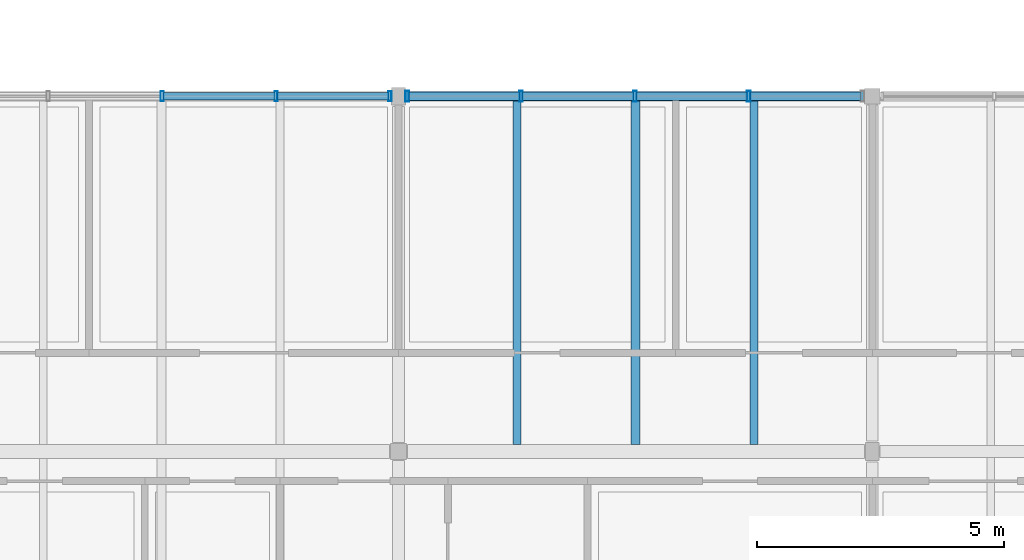
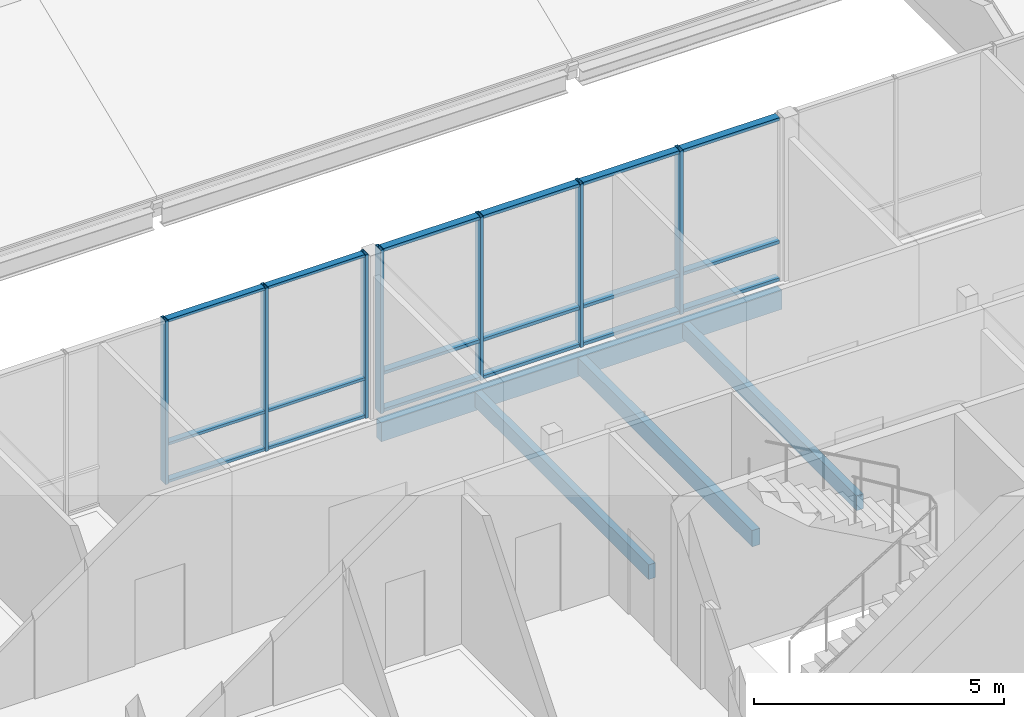
# One storey, part 38 of 115: 25 members, 4 beams, 2 elements without a shape of their own.
"""IFC4 building model written with IfcOpenShell, lengths in metres."""

from ifc_helpers import new_model, si_unit, direction, frame, origin, origin_2d, place, context, subcontext, project, spatial, rectangle, hollow_rectangle, extrude, material, material_profile, profile_set, type_object, element, aggregate, save


model = new_model("IFC4")

# Units and contexts
model_context = context("Model", 3, precision=1e-05, world=origin(), true_north=direction((0.0, 1.0)))
body_context = subcontext(model_context, "Body", "Model", "MODEL_VIEW")
ifc_project = project(units=[si_unit("LENGTHUNIT", "METRE"), si_unit("AREAUNIT", "SQUARE_METRE"), si_unit("VOLUMEUNIT", "CUBIC_METRE"), si_unit("PLANEANGLEUNIT", "RADIAN"), si_unit("MASSUNIT", "GRAM", prefix="KILO")], contexts=[model_context])

# Site, building, storey
site_placement = place(None, origin())
site = spatial("IfcSite", under=ifc_project, at=site_placement, CompositionType="ELEMENT")
building_placement = place(site_placement, origin())
building = spatial("IfcBuilding", under=site, at=building_placement, Name="Hawrajan Terrace Health Centre", CompositionType="ELEMENT")
storey_placement = place(building_placement, frame((0.0, 0.0, 9.0)))
storey = spatial("IfcBuildingStorey", under=building, at=storey_placement, Name="L02", CompositionType="ELEMENT", Elevation=9.0)

# Curtain wall, members
ifc_material_1 = material(Name="Anodized bronze aluminium and low-E solar glazing", Category="aluminium")
curtain_wall_type_1 = type_object("IfcCurtainWallType", Name="CW_Setback_SeriesL1", PredefinedType="USERDEFINED", material=ifc_material_1)
curtain_wall_1_placement = place(storey_placement, origin())
curtain_wall_1 = element("IfcCurtainWall", 1, at=curtain_wall_1_placement, inside=storey, type_object=curtain_wall_type_1, Name="Curtain wall CW-L02-142", ObjectType="UNITISED CURTAIN WALL", PredefinedType="USERDEFINED")
ifc_material_2 = material(Name="Anodized bronze aluminium 6063-T6", Category="aluminium")
ifc_material_profile_1 = material_profile(ifc_material_2, hollow_rectangle(XDim=0.06494140625, YDim=0.199951171875, WallThickness=0.00439453125, at=origin_2d()), Name="CW MUL 65x200")
ifc_profile_set_1 = profile_set([ifc_material_profile_1], Name="Anodized bronze aluminium 6063-T6")
member_type_1 = type_object("IfcMemberType", Name="CWMullion_65x200", PredefinedType="MULLION", material=ifc_profile_set_1)
member_1_placement = place(storey_placement, frame((86.2099609375, 18.60009765625, -0.0048828125), z_axis=(0.0, 0.0, 1.0), x_axis=(1.0, 0.0, 0.0)))
member_1 = element("IfcMember", 2, at=member_1_placement, type_object=member_type_1, Name="Mullion CW-L02-142-M3", PredefinedType="MULLION", context=body_context, shape_type="SweptSolid", body=[
    extrude(hollow_rectangle(XDim=0.06494140625, YDim=0.199951171875, WallThickness=0.00439453125, at=origin_2d()), origin(), (0.0, 0.0, 1.0), 4.0),
])
member_2_placement = place(storey_placement, frame((88.518798828125, 18.60009765625, -0.0048828125), z_axis=(0.0, 0.0, 1.0), x_axis=(1.0, 0.0, 0.0)))
member_2 = element("IfcMember", 3, at=member_2_placement, type_object=member_type_1, Name="Mullion CW-L02-142-M4", PredefinedType="MULLION", context=body_context, shape_type="SweptSolid", body=[
    extrude(hollow_rectangle(XDim=0.06494140625, YDim=0.199951171875, WallThickness=0.00439453125, at=origin_2d()), origin(), (0.0, 0.0, 1.0), 4.0),
])
member_3_placement = place(storey_placement, frame((90.827392578125, 18.60009765625, -0.0048828125), z_axis=(0.0, 0.0, 1.0), x_axis=(1.0, 0.0, 0.0)))
member_3 = element("IfcMember", 4, at=member_3_placement, type_object=member_type_1, Name="Mullion CW-L02-142-M5", PredefinedType="MULLION", context=body_context, shape_type="SweptSolid", body=[
    extrude(hollow_rectangle(XDim=0.06494140625, YDim=0.199951171875, WallThickness=0.00439453125, at=origin_2d()), origin(), (0.0, 0.0, 1.0), 4.0),
])

curtain_wall_type_2 = type_object("IfcCurtainWallType", Name="CW_Diagnostic_SeriesM1", PredefinedType="USERDEFINED", material=ifc_material_1)
curtain_wall_2_placement = place(storey_placement, origin())
curtain_wall_2 = element("IfcCurtainWall", 5, at=curtain_wall_2_placement, inside=storey, type_object=curtain_wall_type_2, Name="Curtain wall CW-L02-143", ObjectType="UNITISED CURTAIN WALL", PredefinedType="USERDEFINED")
ifc_material_profile_2 = material_profile(ifc_material_2, hollow_rectangle(XDim=0.074951171875, YDim=0.219970703125, WallThickness=0.0048828125, at=origin_2d()), Name="CW MUL 75x220")
ifc_profile_set_2 = profile_set([ifc_material_profile_2], Name="Anodized bronze aluminium 6063-T6")
member_type_2 = type_object("IfcMemberType", Name="CWMullion_75x220", PredefinedType="MULLION", material=ifc_profile_set_2)
member_4_placement = place(storey_placement, frame((91.177490234375, 18.60009765625, -0.0048828125), z_axis=(0.0, 0.0, 1.0), x_axis=(1.0, 0.0, 0.0)))
member_4 = element("IfcMember", 6, at=member_4_placement, type_object=member_type_2, Name="Mullion CW-L02-143-M1", PredefinedType="MULLION", context=body_context, shape_type="SweptSolid", body=[
    extrude(hollow_rectangle(XDim=0.074951171875, YDim=0.219970703125, WallThickness=0.0048828125, at=origin_2d()), origin(), (0.0, 0.0, 1.0), 4.0),
])
member_5_placement = place(storey_placement, frame((93.48388671875, 18.60009765625, -0.0048828125), z_axis=(0.0, 0.0, 1.0), x_axis=(1.0, 0.0, 0.0)))
member_5 = element("IfcMember", 7, at=member_5_placement, type_object=member_type_2, Name="Mullion CW-L02-143-M2", PredefinedType="MULLION", context=body_context, shape_type="SweptSolid", body=[
    extrude(hollow_rectangle(XDim=0.074951171875, YDim=0.219970703125, WallThickness=0.0048828125, at=origin_2d()), origin(), (0.0, 0.0, 1.0), 4.0),
])
member_6_placement = place(storey_placement, frame((95.7900390625, 18.60009765625, -0.0048828125), z_axis=(0.0, 0.0, 1.0), x_axis=(1.0, 0.0, 0.0)))
member_6 = element("IfcMember", 8, at=member_6_placement, type_object=member_type_2, Name="Mullion CW-L02-143-M3", PredefinedType="MULLION", context=body_context, shape_type="SweptSolid", body=[
    extrude(hollow_rectangle(XDim=0.074951171875, YDim=0.219970703125, WallThickness=0.0048828125, at=origin_2d()), origin(), (0.0, 0.0, 1.0), 4.0),
])
member_7_placement = place(storey_placement, frame((98.09619140625, 18.60009765625, -0.0048828125), z_axis=(0.0, 0.0, 1.0), x_axis=(1.0, 0.0, 0.0)))
member_7 = element("IfcMember", 9, at=member_7_placement, type_object=member_type_2, Name="Mullion CW-L02-143-M4", PredefinedType="MULLION", context=body_context, shape_type="SweptSolid", body=[
    extrude(hollow_rectangle(XDim=0.074951171875, YDim=0.219970703125, WallThickness=0.0048828125, at=origin_2d()), origin(), (0.0, 0.0, 1.0), 4.0),
])

# Member
ifc_material_profile_3 = material_profile(ifc_material_2, hollow_rectangle(XDim=0.06494140625, YDim=0.14990234375, WallThickness=0.00390625, at=origin_2d()), Name="CW TRN 65x150")
ifc_profile_set_3 = profile_set([ifc_material_profile_3], Name="Anodized bronze aluminium 6063-T6")
member_type_3 = type_object("IfcMemberType", Name="CWTransom_65x150", PredefinedType="USERDEFINED", material=ifc_profile_set_3)
member_8_placement = place(storey_placement, frame((86.236572265625, 18.60009765625, 0.032470703125), z_axis=(1.0, 0.0, 0.0), x_axis=(0.0, 0.0, 1.0)))
member_8 = element("IfcMember", 10, at=member_8_placement, type_object=member_type_3, Name="Transom CW-L02-142-T3-1", ObjectType="TRANSOM", PredefinedType="USERDEFINED", context=body_context, shape_type="SweptSolid", body=[
    extrude(hollow_rectangle(XDim=0.06494140625, YDim=0.14990234375, WallThickness=0.00390625, at=origin_2d()), origin(), (0.0, 0.0, 1.0), 2.255615234375),
])

member_9_placement = place(storey_placement, frame((86.236572265625, 18.60009765625, 0.949951171875), z_axis=(1.0, 0.0, 0.0), x_axis=(0.0, 0.0, 1.0)))
member_9 = element("IfcMember", 11, at=member_9_placement, type_object=member_type_3, Name="Transom CW-L02-142-T3-2", ObjectType="TRANSOM", PredefinedType="USERDEFINED", context=body_context, shape_type="SweptSolid", body=[
    extrude(hollow_rectangle(XDim=0.06494140625, YDim=0.14990234375, WallThickness=0.00390625, at=origin_2d()), origin(), (0.0, 0.0, 1.0), 2.255615234375),
])

member_10_placement = place(storey_placement, frame((86.236572265625, 18.60009765625, 3.95751953125), z_axis=(1.0, 0.0, 0.0), x_axis=(0.0, 0.0, 1.0)))
member_10 = element("IfcMember", 12, at=member_10_placement, type_object=member_type_3, Name="Transom CW-L02-142-T3-3", ObjectType="TRANSOM", PredefinedType="USERDEFINED", context=body_context, shape_type="SweptSolid", body=[
    extrude(hollow_rectangle(XDim=0.06494140625, YDim=0.14990234375, WallThickness=0.00390625, at=origin_2d()), origin(), (0.0, 0.0, 1.0), 2.255615234375),
])

member_11_placement = place(storey_placement, frame((88.545166015625, 18.60009765625, 0.032470703125), z_axis=(1.0, 0.0, 0.0), x_axis=(0.0, 0.0, 1.0)))
member_11 = element("IfcMember", 13, at=member_11_placement, type_object=member_type_3, Name="Transom CW-L02-142-T4-1", ObjectType="TRANSOM", PredefinedType="USERDEFINED", context=body_context, shape_type="SweptSolid", body=[
    extrude(hollow_rectangle(XDim=0.06494140625, YDim=0.14990234375, WallThickness=0.00390625, at=origin_2d()), origin(), (0.0, 0.0, 1.0), 2.255859375),
])

member_12_placement = place(storey_placement, frame((88.545166015625, 18.60009765625, 0.949951171875), z_axis=(1.0, 0.0, 0.0), x_axis=(0.0, 0.0, 1.0)))
member_12 = element("IfcMember", 14, at=member_12_placement, type_object=member_type_3, Name="Transom CW-L02-142-T4-2", ObjectType="TRANSOM", PredefinedType="USERDEFINED", context=body_context, shape_type="SweptSolid", body=[
    extrude(hollow_rectangle(XDim=0.06494140625, YDim=0.14990234375, WallThickness=0.00390625, at=origin_2d()), origin(), (0.0, 0.0, 1.0), 2.255859375),
])

member_13_placement = place(storey_placement, frame((88.545166015625, 18.60009765625, 3.95751953125), z_axis=(1.0, 0.0, 0.0), x_axis=(0.0, 0.0, 1.0)))
member_13 = element("IfcMember", 15, at=member_13_placement, type_object=member_type_3, Name="Transom CW-L02-142-T4-3", ObjectType="TRANSOM", PredefinedType="USERDEFINED", context=body_context, shape_type="SweptSolid", body=[
    extrude(hollow_rectangle(XDim=0.06494140625, YDim=0.14990234375, WallThickness=0.00390625, at=origin_2d()), origin(), (0.0, 0.0, 1.0), 2.255859375),
])

aggregate(curtain_wall_1, [member_1, member_2, member_3, member_8, member_9, member_10, member_11, member_12, member_13])

ifc_material_profile_4 = material_profile(ifc_material_2, hollow_rectangle(XDim=0.074951171875, YDim=0.169921875, WallThickness=0.00439453125, at=origin_2d()), Name="CW TRN 75x170")
ifc_profile_set_4 = profile_set([ifc_material_profile_4], Name="Anodized bronze aluminium 6063-T6")
member_type_4 = type_object("IfcMemberType", Name="CWTransom_75x170", PredefinedType="USERDEFINED", material=ifc_profile_set_4)
member_14_placement = place(storey_placement, frame((91.208984375, 18.60009765625, 0.03759765625), z_axis=(1.0, 0.0, 0.0), x_axis=(0.0, 0.0, 1.0)))
member_14 = element("IfcMember", 16, at=member_14_placement, type_object=member_type_4, Name="Transom CW-L02-143-T1-1", ObjectType="TRANSOM", PredefinedType="USERDEFINED", context=body_context, shape_type="SweptSolid", body=[
    extrude(hollow_rectangle(XDim=0.074951171875, YDim=0.169921875, WallThickness=0.00439453125, at=origin_2d()), origin(), (0.0, 0.0, 1.0), 2.243408203125),
])

member_15_placement = place(storey_placement, frame((91.208984375, 18.60009765625, 0.949951171875), z_axis=(1.0, 0.0, 0.0), x_axis=(0.0, 0.0, 1.0)))
member_15 = element("IfcMember", 17, at=member_15_placement, type_object=member_type_4, Name="Transom CW-L02-143-T1-2", ObjectType="TRANSOM", PredefinedType="USERDEFINED", context=body_context, shape_type="SweptSolid", body=[
    extrude(hollow_rectangle(XDim=0.074951171875, YDim=0.169921875, WallThickness=0.00439453125, at=origin_2d()), origin(), (0.0, 0.0, 1.0), 2.243408203125),
])

member_16_placement = place(storey_placement, frame((91.208984375, 18.60009765625, 3.952392578125), z_axis=(1.0, 0.0, 0.0), x_axis=(0.0, 0.0, 1.0)))
member_16 = element("IfcMember", 18, at=member_16_placement, type_object=member_type_4, Name="Transom CW-L02-143-T1-3", ObjectType="TRANSOM", PredefinedType="USERDEFINED", context=body_context, shape_type="SweptSolid", body=[
    extrude(hollow_rectangle(XDim=0.074951171875, YDim=0.169921875, WallThickness=0.00439453125, at=origin_2d()), origin(), (0.0, 0.0, 1.0), 2.243408203125),
])

member_17_placement = place(storey_placement, frame((93.51513671875, 18.60009765625, 0.03759765625), z_axis=(1.0, 0.0, 0.0), x_axis=(0.0, 0.0, 1.0)))
member_17 = element("IfcMember", 19, at=member_17_placement, type_object=member_type_4, Name="Transom CW-L02-143-T2-1", ObjectType="TRANSOM", PredefinedType="USERDEFINED", context=body_context, shape_type="SweptSolid", body=[
    extrude(hollow_rectangle(XDim=0.074951171875, YDim=0.169921875, WallThickness=0.00439453125, at=origin_2d()), origin(), (0.0, 0.0, 1.0), 2.243408203125),
])

member_18_placement = place(storey_placement, frame((93.51513671875, 18.60009765625, 0.949951171875), z_axis=(1.0, 0.0, 0.0), x_axis=(0.0, 0.0, 1.0)))
member_18 = element("IfcMember", 20, at=member_18_placement, type_object=member_type_4, Name="Transom CW-L02-143-T2-2", ObjectType="TRANSOM", PredefinedType="USERDEFINED", context=body_context, shape_type="SweptSolid", body=[
    extrude(hollow_rectangle(XDim=0.074951171875, YDim=0.169921875, WallThickness=0.00439453125, at=origin_2d()), origin(), (0.0, 0.0, 1.0), 2.243408203125),
])

member_19_placement = place(storey_placement, frame((93.51513671875, 18.60009765625, 3.952392578125), z_axis=(1.0, 0.0, 0.0), x_axis=(0.0, 0.0, 1.0)))
member_19 = element("IfcMember", 21, at=member_19_placement, type_object=member_type_4, Name="Transom CW-L02-143-T2-3", ObjectType="TRANSOM", PredefinedType="USERDEFINED", context=body_context, shape_type="SweptSolid", body=[
    extrude(hollow_rectangle(XDim=0.074951171875, YDim=0.169921875, WallThickness=0.00439453125, at=origin_2d()), origin(), (0.0, 0.0, 1.0), 2.243408203125),
])

member_20_placement = place(storey_placement, frame((95.821533203125, 18.60009765625, 0.03759765625), z_axis=(1.0, 0.0, 0.0), x_axis=(0.0, 0.0, 1.0)))
member_20 = element("IfcMember", 22, at=member_20_placement, type_object=member_type_4, Name="Transom CW-L02-143-T3-1", ObjectType="TRANSOM", PredefinedType="USERDEFINED", context=body_context, shape_type="SweptSolid", body=[
    extrude(hollow_rectangle(XDim=0.074951171875, YDim=0.169921875, WallThickness=0.00439453125, at=origin_2d()), origin(), (0.0, 0.0, 1.0), 2.2431640625),
])

member_21_placement = place(storey_placement, frame((95.821533203125, 18.60009765625, 0.949951171875), z_axis=(1.0, 0.0, 0.0), x_axis=(0.0, 0.0, 1.0)))
member_21 = element("IfcMember", 23, at=member_21_placement, type_object=member_type_4, Name="Transom CW-L02-143-T3-2", ObjectType="TRANSOM", PredefinedType="USERDEFINED", context=body_context, shape_type="SweptSolid", body=[
    extrude(hollow_rectangle(XDim=0.074951171875, YDim=0.169921875, WallThickness=0.00439453125, at=origin_2d()), origin(), (0.0, 0.0, 1.0), 2.2431640625),
])

member_22_placement = place(storey_placement, frame((95.821533203125, 18.60009765625, 3.952392578125), z_axis=(1.0, 0.0, 0.0), x_axis=(0.0, 0.0, 1.0)))
member_22 = element("IfcMember", 24, at=member_22_placement, type_object=member_type_4, Name="Transom CW-L02-143-T3-3", ObjectType="TRANSOM", PredefinedType="USERDEFINED", context=body_context, shape_type="SweptSolid", body=[
    extrude(hollow_rectangle(XDim=0.074951171875, YDim=0.169921875, WallThickness=0.00439453125, at=origin_2d()), origin(), (0.0, 0.0, 1.0), 2.2431640625),
])

member_23_placement = place(storey_placement, frame((98.127685546875, 18.60009765625, 0.03759765625), z_axis=(1.0, 0.0, 0.0), x_axis=(0.0, 0.0, 1.0)))
member_23 = element("IfcMember", 25, at=member_23_placement, type_object=member_type_4, Name="Transom CW-L02-143-T4-1", ObjectType="TRANSOM", PredefinedType="USERDEFINED", context=body_context, shape_type="SweptSolid", body=[
    extrude(hollow_rectangle(XDim=0.074951171875, YDim=0.169921875, WallThickness=0.00439453125, at=origin_2d()), origin(), (0.0, 0.0, 1.0), 2.243408203125),
])

member_24_placement = place(storey_placement, frame((98.127685546875, 18.60009765625, 0.949951171875), z_axis=(1.0, 0.0, 0.0), x_axis=(0.0, 0.0, 1.0)))
member_24 = element("IfcMember", 26, at=member_24_placement, type_object=member_type_4, Name="Transom CW-L02-143-T4-2", ObjectType="TRANSOM", PredefinedType="USERDEFINED", context=body_context, shape_type="SweptSolid", body=[
    extrude(hollow_rectangle(XDim=0.074951171875, YDim=0.169921875, WallThickness=0.00439453125, at=origin_2d()), origin(), (0.0, 0.0, 1.0), 2.243408203125),
])

member_25_placement = place(storey_placement, frame((98.127685546875, 18.60009765625, 3.952392578125), z_axis=(1.0, 0.0, 0.0), x_axis=(0.0, 0.0, 1.0)))
member_25 = element("IfcMember", 27, at=member_25_placement, type_object=member_type_4, Name="Transom CW-L02-143-T4-3", ObjectType="TRANSOM", PredefinedType="USERDEFINED", context=body_context, shape_type="SweptSolid", body=[
    extrude(hollow_rectangle(XDim=0.074951171875, YDim=0.169921875, WallThickness=0.00439453125, at=origin_2d()), origin(), (0.0, 0.0, 1.0), 2.243408203125),
])

aggregate(curtain_wall_2, [member_4, member_5, member_6, member_7, member_14, member_15, member_16, member_17, member_18, member_19, member_20, member_21, member_22, member_23, member_24, member_25])

# Beams
ifc_material_3 = material(Name="Glulam GL28h", Category="wood")
ifc_material_profile_5 = material_profile(ifc_material_3, rectangle(XDim=0.159912109375, YDim=0.360107421875, at=origin_2d()), Name="GL JST 160x360")
ifc_profile_set_5 = profile_set([ifc_material_profile_5], Name="Glulam GL28h")
beam_type_1 = type_object("IfcBeamType", Name="GlulamJoist_160x360", PredefinedType="JOIST", material=ifc_profile_set_5)
for number, where, z_axis, x_axis, name in (
    (28, (93.39990234375, 11.5400390625, -0.419921875), (0.0, 1.0, 0.0), (-1.0, 0.0, 0.0), "Secondary joist JST-L02-C-12-2-1"),
    (29, (98.199951171875, 11.5400390625, -0.419921875), (0.0, 1.0, 0.0), (-1.0, 0.0, 0.0), "Secondary joist JST-L02-C-12-2-3"),
):
    element("IfcBeam", number, at=place(storey_placement, frame(where, z_axis=z_axis, x_axis=x_axis)), inside=storey, type_object=beam_type_1, Name=name, PredefinedType="JOIST", context=body_context, shape_type="SweptSolid", body=[
        extrude(rectangle(XDim=0.159912109375, YDim=0.360107421875, at=origin_2d()), origin(), (0.0, 0.0, 1.0), 6.9599609375),
    ])
ifc_material_profile_6 = material_profile(ifc_material_3, rectangle(XDim=0.179931640625, YDim=0.39990234375, at=origin_2d()), Name="GL JST 180x400")
ifc_profile_set_6 = profile_set([ifc_material_profile_6], Name="Glulam GL28h")
beam_type_2 = type_object("IfcBeamType", Name="GlulamJoist_180x400", PredefinedType="JOIST", material=ifc_profile_set_6)
beam_1_placement = place(storey_placement, frame((95.800048828125, 11.5400390625, -0.43994140625), z_axis=(0.0, 1.0, 0.0), x_axis=(-1.0, 0.0, 0.0)))
element("IfcBeam", 30, at=beam_1_placement, inside=storey, type_object=beam_type_2, Name="Secondary joist JST-L02-C-12-2-2", PredefinedType="JOIST", context=body_context, shape_type="SweptSolid", body=[
    extrude(rectangle(XDim=0.179931640625, YDim=0.39990234375, at=origin_2d()), origin(), (0.0, 0.0, 1.0), 6.9599609375),
])
ifc_material_4 = material(Name="Glulam GL32h", Category="wood")
ifc_material_profile_7 = material_profile(ifc_material_4, rectangle(XDim=0.199951171875, YDim=0.4599609375, at=origin_2d()), Name="GL SP 200x460")
ifc_profile_set_7 = profile_set([ifc_material_profile_7], Name="Glulam GL32h")
beam_type_3 = type_object("IfcBeamType", Name="GlulamSpandrel_200x460", PredefinedType="SPANDREL", material=ifc_profile_set_7)
beam_2_placement = place(storey_placement, frame((91.159912109375, 18.60009765625, -0.469970703125), z_axis=(1.0, 0.0, 0.0), x_axis=(0.0, 1.0, 0.0)))
element("IfcBeam", 31, at=beam_2_placement, inside=storey, type_object=beam_type_3, Name="Beam BM-X-L02-C-12-Y3", PredefinedType="SPANDREL", context=body_context, shape_type="SweptSolid", body=[
    extrude(rectangle(XDim=0.199951171875, YDim=0.4599609375, at=origin_2d()), origin(), (0.0, 0.0, 1.0), 9.260009765625),
])

save(model, "model.ifc")
